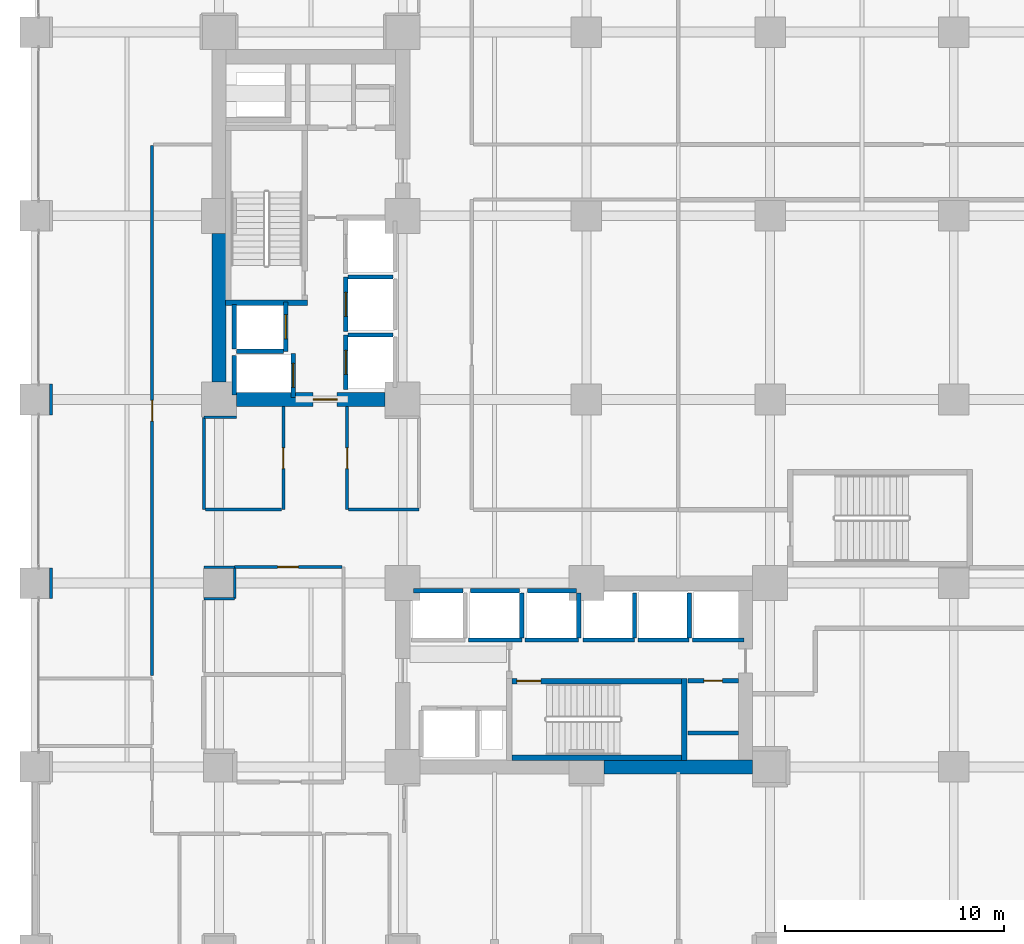
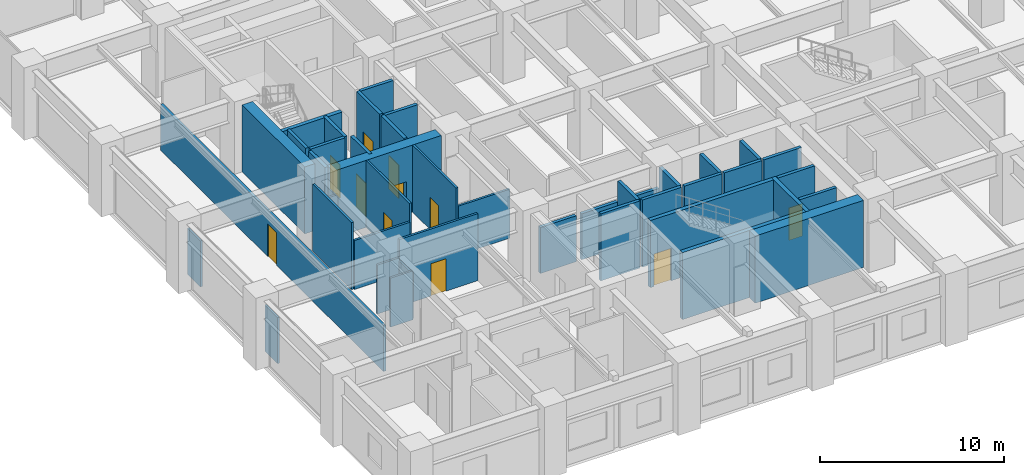
# One storey, part 20 of 24: 43 walls, 11 doors, 11 openings.
"""IFC4 building model written with IfcOpenShell, lengths in metres."""

import ifcopenshell
import ifcopenshell.guid

model = None  # the IFC model being written
_history = None  # IfcOwnerHistory: only IFC2X3 demands one
_inside = {}  # id of a spatial element -> (the spatial element, [elements in it])
_under = {}  # id of a project, library or spatial element -> (it, [spatial elements below it])
_declared = {}  # id of a project -> (the project, [libraries it declares])
_typed = {}  # id of a type object -> (the type object, [elements of that type])
_made_of = {}  # id of a material, layer set ... -> (it, [elements and type objects made of it])


def new_model(schema):
    """Start an empty IFC model of exactly this schema.

    Asked for "IFC4X3", IfcOpenShell would pick the latest addendum, in which some entities
    have other attributes; the version numbers below select the first issue.
    IFC2X3 requires an IfcOwnerHistory on every rooted entity: one is made here for all.
    """
    global model, _history
    if schema == "IFC4X3":
        model = ifcopenshell.file(schema_version=(4, 3, 0, 0))
    else:
        model = ifcopenshell.file(schema=schema)
    _inside.clear()
    _under.clear()
    _declared.clear()
    _typed.clear()
    _made_of.clear()
    _history = None
    if model.schema == "IFC2X3":
        org = make("IfcOrganization", Name="unknown")
        user = make(
            "IfcPersonAndOrganization",
            ThePerson=make("IfcPerson", FamilyName="unknown"),
            TheOrganization=org,
        )
        app = make(
            "IfcApplication",
            ApplicationDeveloper=org,
            Version="unknown",
            ApplicationFullName="unknown",
            ApplicationIdentifier="unknown",
        )
        _history = make(
            "IfcOwnerHistory",
            OwningUser=user,
            OwningApplication=app,
            ChangeAction="ADDED",
            CreationDate=0,
        )
    return model


def make(cls, **values):
    """One entity of the class cls with the attributes given. An attribute that is None is left unset."""
    return model.create_entity(
        cls, **{name: value for name, value in values.items() if value is not None}
    )


def rooted(cls, **values):
    """An entity with a GlobalId (a new one), such as an element, a storey or a relation."""
    return make(cls, GlobalId=ifcopenshell.guid.new(), OwnerHistory=_history, **values)


def si_unit(unit_type, name, prefix=None):
    """IfcSIUnit, for example si_unit("LENGTHUNIT", "METRE", prefix="MILLI")."""
    return make("IfcSIUnit", UnitType=unit_type, Prefix=prefix, Name=name)


def assignment(units):
    """IfcUnitAssignment: the units of a project."""
    return None if units is None else make("IfcUnitAssignment", Units=units)


def point(xyz):
    """IfcCartesianPoint."""
    return None if xyz is None else make("IfcCartesianPoint", Coordinates=xyz)


def direction(xyz):
    """IfcDirection."""
    return None if xyz is None else make("IfcDirection", DirectionRatios=xyz)


def frame(location, z_axis=None, x_axis=None):
    """IfcAxis2Placement3D, a coordinate frame: its origin and axes. An axis left out is left unset."""
    return make(
        "IfcAxis2Placement3D",
        Location=point(location),
        Axis=direction(z_axis),
        RefDirection=direction(x_axis),
    )


def frame_2d(location, x_axis=None):
    """IfcAxis2Placement2D, a coordinate frame in the plane: its origin and x axis."""
    return make(
        "IfcAxis2Placement2D", Location=point(location), RefDirection=direction(x_axis)
    )


def origin():
    """The frame at (0, 0, 0) with its axes left unset."""
    return frame((0.0, 0.0, 0.0))


def place(relative_to, where):
    """IfcLocalPlacement: puts the frame where relative to a parent placement (None: the world)."""
    return make(
        "IfcLocalPlacement", PlacementRelTo=relative_to, RelativePlacement=where
    )


def context(
    kind, dimensions, precision=None, world=None, true_north=None, identifier=None
):
    """IfcGeometricRepresentationContext, for example the 3D "Model" context."""
    return make(
        "IfcGeometricRepresentationContext",
        ContextIdentifier=identifier,
        ContextType=kind,
        CoordinateSpaceDimension=dimensions,
        Precision=precision,
        WorldCoordinateSystem=world,
        TrueNorth=true_north,
    )


def subcontext(parent, identifier, kind, view, scale=None):
    """IfcGeometricRepresentationSubContext, for example "Body" below "Model"."""
    return make(
        "IfcGeometricRepresentationSubContext",
        ContextIdentifier=identifier,
        ContextType=kind,
        ParentContext=parent,
        TargetScale=scale,
        TargetView=view,
    )


def project(units=None, contexts=None):
    """IfcProject with its units and contexts."""
    return rooted(
        "IfcProject",
        Name="project",
        RepresentationContexts=contexts,
        UnitsInContext=assignment(units),
    )


def spatial(cls, under=None, at=None, **own):
    """A site, building, storey or space (cls), placed at a placement, below another one or the project."""
    s = rooted(cls, ObjectPlacement=at, **own)
    if under is not None:
        _under.setdefault(under.id(), (under, []))[1].append(s)
    return s


def profile(cls, at=None, kind="AREA", **sizes):
    """A parametric profile (cls). Its sizes go by their IFC names, for example OverallWidth=200.0."""
    return make(cls, ProfileType=kind, Position=at, **sizes)


def rectangle(**sizes):
    """IfcRectangleProfileDef."""
    return profile("IfcRectangleProfileDef", **sizes)


def extrude(swept, where, along, depth):
    """IfcExtrudedAreaSolid: the profile swept, set in the frame where, extruded along a direction by depth."""
    return make(
        "IfcExtrudedAreaSolid",
        SweptArea=swept,
        Position=where,
        ExtrudedDirection=direction(along),
        Depth=depth,
    )


def shape(context_of_items, identifier, shape_type, items):
    """IfcShapeRepresentation: the items that make up one representation, for example the "Body"."""
    return make(
        "IfcShapeRepresentation",
        ContextOfItems=context_of_items,
        RepresentationIdentifier=identifier,
        RepresentationType=shape_type,
        Items=items,
    )


def material(Name=None, Category=None):
    """IfcMaterial."""
    return make("IfcMaterial", Name=Name, Category=Category)


def layer(
    of_material, thickness, ventilated=None, Name=None, Category=None, Priority=None
):
    """IfcMaterialLayer: one layer of a wall or slab, of a material (None: an air gap)."""
    return make(
        "IfcMaterialLayer",
        Material=of_material,
        LayerThickness=thickness,
        IsVentilated=ventilated,
        Name=Name,
        Category=Category,
        Priority=Priority,
    )


def layer_set(layers, Name=None):
    """IfcMaterialLayerSet."""
    return make("IfcMaterialLayerSet", MaterialLayers=layers, LayerSetName=Name)


def made_of(thing, what):
    """Note that an element or type object is made of a material, layer set ...; save() writes the relation."""
    if what is not None:
        _made_of.setdefault(what.id(), (what, []))[1].append(thing)
    return thing


def type_object(cls, material=None, **own):
    """A type object (cls), such as IfcWallType, which elements share."""
    return made_of(rooted(cls, **own), material)


def element(
    cls,
    number,
    at=None,
    inside=None,
    cuts=None,
    type_object=None,
    material=None,
    context=None,
    identifier="Body",
    shape_type=None,
    held_by="IfcProductDefinitionShape",
    body=None,
    shapes=None,
    **own,
):
    """One element of the class cls, such as IfcWall. Its Tag is "e" and its number.

    at: its placement. inside: the storey or other place that contains it. cuts: it is an
    opening in that element (IfcRelVoidsElement). A single representation is given by context,
    identifier, shape_type and body (its items); several are given by shapes. held_by: the class
    of the entity that holds the representations. save() writes the other relations.
    """
    e = rooted(cls, Tag="e%d" % number, ObjectPlacement=at, **own)
    if body is not None:
        shapes = [shape(context, identifier, shape_type, body)]
    if shapes is not None:
        e.Representation = make(held_by, Representations=shapes)
    if inside is not None:
        _inside.setdefault(inside.id(), (inside, []))[1].append(e)
    if cuts is not None:
        rooted(
            "IfcRelVoidsElement", RelatingBuildingElement=cuts, RelatedOpeningElement=e
        )
    if type_object is not None:
        _typed.setdefault(type_object.id(), (type_object, []))[1].append(e)
    return made_of(e, material)


def fill(opening, filler):
    """IfcRelFillsElement: the door or window that sits in an opening."""
    return rooted(
        "IfcRelFillsElement",
        RelatingOpeningElement=opening,
        RelatedBuildingElement=filler,
    )


def aggregate(whole, parts):
    """IfcRelAggregates: a whole, such as a stair, and the parts it consists of."""
    return rooted("IfcRelAggregates", RelatingObject=whole, RelatedObjects=parts)


def save(model, path):
    """Write the relations noted so far, then the file.

    IfcRelAggregates (storeys below a building ...), IfcRelContainedInSpatialStructure (elements
    in a storey), IfcRelDefinesByType, IfcRelAssociatesMaterial and IfcRelDeclares: one each for
    every whole, place, type object, material and project.
    """
    for whole, parts in _under.values():
        aggregate(whole, parts)
    for where, things in _inside.values():
        rooted(
            "IfcRelContainedInSpatialStructure",
            RelatedElements=things,
            RelatingStructure=where,
        )
    for kind, things in _typed.values():
        rooted("IfcRelDefinesByType", RelatedObjects=things, RelatingType=kind)
    for what, things in _made_of.values():
        rooted("IfcRelAssociatesMaterial", RelatedObjects=things, RelatingMaterial=what)
    for by, libraries in _declared.values():
        rooted("IfcRelDeclares", RelatingContext=by, RelatedDefinitions=libraries)
    model.write(path)


model = new_model("IFC4")

# Units and contexts
model_context = context("Model", 3, precision=1e-05, world=origin(), true_north=direction((0.0, 1.0)))
body_context = subcontext(model_context, "Body", "Model", "MODEL_VIEW")
ifc_project = project(units=[si_unit("LENGTHUNIT", "METRE"), si_unit("AREAUNIT", "SQUARE_METRE"), si_unit("VOLUMEUNIT", "CUBIC_METRE"), si_unit("PLANEANGLEUNIT", "RADIAN"), si_unit("MASSUNIT", "GRAM", prefix="KILO")], contexts=[model_context])

# Site, building, storey
site_placement = place(None, origin())
site = spatial("IfcSite", under=ifc_project, at=site_placement, CompositionType="ELEMENT")
building_placement = place(site_placement, origin())
building = spatial("IfcBuilding", under=site, at=building_placement, Name="Nerrivon Quay Data Exchange", CompositionType="ELEMENT")
storey_placement = place(building_placement, frame((0.0, 0.0, 15.0)))
storey = spatial("IfcBuildingStorey", under=building, at=storey_placement, Name="L03", CompositionType="ELEMENT", Elevation=15.0)

# Wall
ifc_material_1 = material(Name="Concrete N80 (80 MPa)", Category="concrete")
ifc_layer_1 = layer(ifc_material_1, 0.64990234375)
ifc_layer_set_1 = layer_set([ifc_layer_1], Name="Concrete N80 (80 MPa)")
wall_type_1 = type_object("IfcWallType", Name="WALL-CW-850", PredefinedType="SHEAR", material=ifc_layer_set_1)
wall_1_placement = place(storey_placement, frame((8.39990234375, 26.0, 0.0), z_axis=(0.0, 0.0, 1.0), x_axis=(0.0, 1.0, 0.0)))
element("IfcWall", 1, at=wall_1_placement, inside=storey, type_object=wall_type_1, Name="L03 West Split-Core Shear Wall WCW-W1", PredefinedType="SHEAR", context=body_context, shape_type="SweptSolid", body=[
    extrude(rectangle(XDim=6.800048828125, YDim=0.64990234375, at=frame_2d((3.39990234375, 0.0))), origin(), (0.0, 0.0, 1.0), 4.449951171875),
])

# Wall, opening, door
wall_2_placement = place(storey_placement, frame((9.199951171875, 25.199951171875, 0.0), z_axis=(0.0, 0.0, 1.0), x_axis=(1.0, 0.0, 0.0)))
wall_2 = element("IfcWall", 2, at=wall_2_placement, inside=storey, type_object=wall_type_1, Name="L03 West Split-Core Shear Wall WCW-S1", PredefinedType="SHEAR", context=body_context, shape_type="SweptSolid", body=[
    extrude(rectangle(XDim=6.800048828125, YDim=0.64990234375, at=frame_2d((3.39990234375, 0.0))), origin(), (0.0, 0.0, 1.0), 4.449951171875),
])
opening_1_placement = place(wall_2_placement, frame((3.5, 0.0, 0.0)))
opening_1 = element("IfcOpeningElement", 3, at=opening_1_placement, cuts=wall_2, Name="Opening FD-120", PredefinedType="OPENING", context=body_context, shape_type="SweptSolid", body=[
    extrude(rectangle(XDim=1.10009765625, YDim=2.14990234375, at=frame_2d((0.550048828125, 1.074951171875))), frame((0.0, 0.3349609375, 0.0), z_axis=(0.0, -1.0, 0.0), x_axis=(1.0, 0.0, 0.0)), (0.0, 0.0, 1.0), 0.669921875),
])
ifc_material_2 = material(Name="Powder-coated galvanized steel sheet", Category="steel")
door_type_1 = type_object("IfcDoorType", Name="DR-FD120-1100", OperationType="NOTDEFINED", PredefinedType="DOOR", material=ifc_material_2)
door_1_placement = place(opening_1_placement, origin())
door_1 = element("IfcDoor", 4, at=door_1_placement, inside=storey, type_object=door_type_1, Name="L03 West Core Lobby Fire Door", OperationType="SINGLE_SWING_LEFT", OverallHeight=2.14990234375, OverallWidth=1.10009765625, PredefinedType="DOOR", context=body_context, shape_type="SweptSolid", body=[
    extrude(rectangle(XDim=1.10009765625, YDim=2.14990234375, at=frame_2d((0.550048828125, 1.074951171875))), frame((0.0, 0.02490234375, 0.0), z_axis=(0.0, -1.0, 0.0), x_axis=(1.0, 0.0, 0.0)), (0.0, 0.0, 1.0), 0.050048828125),
])
fill(opening_1, door_1)

# Wall
wall_3_placement = place(storey_placement, frame((26.0, 8.39990234375, 0.0), z_axis=(0.0, 0.0, 1.0), x_axis=(1.0, 0.0, 0.0)))
element("IfcWall", 5, at=wall_3_placement, inside=storey, type_object=wall_type_1, Name="L03 East Split-Core Shear Wall ECW-S2", PredefinedType="SHEAR", context=body_context, shape_type="SweptSolid", body=[
    extrude(rectangle(XDim=6.800048828125, YDim=0.64990234375, at=frame_2d((3.39990234375, 0.0))), origin(), (0.0, 0.0, 1.0), 4.449951171875),
])

# Wall, opening, door
ifc_material_3 = material(Name="Gypsum plasterboard on cold-formed framing", Category="gypsum")
ifc_layer_2 = layer(ifc_material_3, 0.199951171875)
ifc_layer_set_2 = layer_set([ifc_layer_2], Name="Gypsum plasterboard on cold-formed framing")
wall_type_2 = type_object("IfcWallType", Name="WALL-FW-200", PredefinedType="PARTITIONING", material=ifc_layer_set_2)
wall_4_placement = place(storey_placement, frame((11.449951171875, 27.39990234375, 0.0), z_axis=(0.0, 0.0, 1.0), x_axis=(0.0, 1.0, 0.0)))
wall_4 = element("IfcWall", 6, at=wall_4_placement, inside=storey, type_object=wall_type_2, Name="L03 Lift Front Wall FFL-1", PredefinedType="PARTITIONING", context=body_context, shape_type="SweptSolid", body=[
    extrude(rectangle(XDim=2.25, YDim=0.199951171875, at=frame_2d((1.125, 0.0))), origin(), (0.0, 0.0, 1.0), 4.449951171875),
])
opening_2_placement = place(wall_4_placement, frame((0.574951171875, 0.0, 0.0)))
opening_2 = element("IfcOpeningElement", 7, at=opening_2_placement, cuts=wall_4, Name="Opening LD-120", PredefinedType="OPENING", context=body_context, shape_type="SweptSolid", body=[
    extrude(rectangle(XDim=1.10009765625, YDim=2.199951171875, at=frame_2d((0.550048828125, 1.10009765625))), frame((0.0, 0.10986328125, 0.0), z_axis=(0.0, -1.0, 0.0), x_axis=(1.0, 0.0, 0.0)), (0.0, 0.0, 1.0), 0.219970703125),
])
door_type_2 = type_object("IfcDoorType", Name="DR-LIFT-LD120", OperationType="DOUBLE_DOOR_SLIDING", PredefinedType="DOOR", material=ifc_material_2)
door_2_placement = place(opening_2_placement, origin())
door_2 = element("IfcDoor", 8, at=door_2_placement, inside=storey, type_object=door_type_2, Name="L03 Lift Landing Sliding Door FFL-1", OperationType="DOUBLE_DOOR_SLIDING", OverallHeight=2.199951171875, OverallWidth=1.10009765625, PredefinedType="DOOR", context=body_context, shape_type="SweptSolid", body=[
    extrude(rectangle(XDim=1.10009765625, YDim=2.199951171875, at=frame_2d((0.550048828125, 1.10009765625))), frame((0.0, 0.02490234375, 0.0), z_axis=(0.0, -1.0, 0.0), x_axis=(1.0, 0.0, 0.0)), (0.0, 0.0, 1.0), 0.050048828125),
])
fill(opening_2, door_2)

# Walls
wall_5_placement = place(storey_placement, frame((9.10009765625, 27.5, 0.0), z_axis=(0.0, 0.0, 1.0), x_axis=(0.0, 1.0, 0.0)))
element("IfcWall", 9, at=wall_5_placement, inside=storey, type_object=wall_type_2, Name="L03 Lift Shaft Wall FFL-1 WEST", PredefinedType="PARTITIONING", context=body_context, shape_type="SweptSolid", body=[
    extrude(rectangle(XDim=2.050048828125, YDim=0.199951171875, at=frame_2d((1.02490234375, 0.0))), origin(), (0.0, 0.0, 1.0), 4.449951171875),
])
wall_6_placement = place(storey_placement, frame((9.199951171875, 27.39990234375, 0.0), z_axis=(0.0, 0.0, 1.0), x_axis=(1.0, 0.0, 0.0)))
element("IfcWall", 10, at=wall_6_placement, inside=storey, type_object=wall_type_2, Name="L03 Lift Shaft Wall FFL-1 SOUTH", PredefinedType="PARTITIONING", context=body_context, shape_type="SweptSolid", body=[
    extrude(rectangle(XDim=2.150146484375, YDim=0.199951171875, at=frame_2d((1.0751953125, 0.0))), origin(), (0.0, 0.0, 1.0), 4.449951171875),
])

# Wall, opening, door
wall_7_placement = place(storey_placement, frame((11.800048828125, 25.300048828125, 0.0), z_axis=(0.0, 0.0, 1.0), x_axis=(0.0, 1.0, 0.0)))
wall_7 = element("IfcWall", 11, at=wall_7_placement, inside=storey, type_object=wall_type_2, Name="L03 Lift Front Wall SVL-1", PredefinedType="PARTITIONING", context=body_context, shape_type="SweptSolid", body=[
    extrude(rectangle(XDim=2.0, YDim=0.199951171875, at=frame_2d((1.0, 0.0))), origin(), (0.0, 0.0, 1.0), 4.449951171875),
])
opening_3_placement = place(wall_7_placement, frame((0.449951171875, 0.0, 0.0)))
opening_3 = element("IfcOpeningElement", 12, at=opening_3_placement, cuts=wall_7, Name="Opening LD-120", PredefinedType="OPENING", context=body_context, shape_type="SweptSolid", body=[
    extrude(rectangle(XDim=1.10009765625, YDim=2.199951171875, at=frame_2d((0.550048828125, 1.10009765625))), frame((0.0, 0.10986328125, 0.0), z_axis=(0.0, -1.0, 0.0), x_axis=(1.0, 0.0, 0.0)), (0.0, 0.0, 1.0), 0.219970703125),
])
door_3_placement = place(opening_3_placement, origin())
door_3 = element("IfcDoor", 13, at=door_3_placement, inside=storey, type_object=door_type_2, Name="L03 Lift Landing Sliding Door SVL-1", OperationType="DOUBLE_DOOR_SLIDING", OverallHeight=2.199951171875, OverallWidth=1.10009765625, PredefinedType="DOOR", context=body_context, shape_type="SweptSolid", body=[
    extrude(rectangle(XDim=1.10009765625, YDim=2.199951171875, at=frame_2d((0.550048828125, 1.10009765625))), frame((0.0, 0.02490234375, 0.0), z_axis=(0.0, -1.0, 0.0), x_axis=(1.0, 0.0, 0.0)), (0.0, 0.0, 1.0), 0.050048828125),
])
fill(opening_3, door_3)

# Wall
wall_8_placement = place(storey_placement, frame((9.10009765625, 25.39990234375, 0.0), z_axis=(0.0, 0.0, 1.0), x_axis=(0.0, 1.0, 0.0)))
element("IfcWall", 14, at=wall_8_placement, inside=storey, type_object=wall_type_2, Name="L03 Lift Shaft Wall SVL-1 WEST", PredefinedType="PARTITIONING", context=body_context, shape_type="SweptSolid", body=[
    extrude(rectangle(XDim=1.800048828125, YDim=0.199951171875, at=frame_2d((0.89990234375, 0.0))), origin(), (0.0, 0.0, 1.0), 4.449951171875),
])

# Wall, opening, door
wall_9_placement = place(storey_placement, frame((14.199951171875, 25.64990234375, 0.0), z_axis=(0.0, 0.0, 1.0), x_axis=(0.0, 1.0, 0.0)))
wall_9 = element("IfcWall", 15, at=wall_9_placement, inside=storey, type_object=wall_type_2, Name="L03 Lift Front Wall PL1", PredefinedType="PARTITIONING", context=body_context, shape_type="SweptSolid", body=[
    extrude(rectangle(XDim=2.5, YDim=0.199951171875, at=frame_2d((1.25, 0.0))), origin(), (0.0, 0.0, 1.0), 4.449951171875),
])
opening_4_placement = place(wall_9_placement, frame((0.699951171875, 0.0, 0.0)))
opening_4 = element("IfcOpeningElement", 16, at=opening_4_placement, cuts=wall_9, Name="Opening LD-120", PredefinedType="OPENING", context=body_context, shape_type="SweptSolid", body=[
    extrude(rectangle(XDim=1.10009765625, YDim=2.199951171875, at=frame_2d((0.550048828125, 1.10009765625))), frame((0.0, 0.10986328125, 0.0), z_axis=(0.0, -1.0, 0.0), x_axis=(1.0, 0.0, 0.0)), (0.0, 0.0, 1.0), 0.219970703125),
])
door_4_placement = place(opening_4_placement, origin())
door_4 = element("IfcDoor", 17, at=door_4_placement, inside=storey, type_object=door_type_2, Name="L03 Lift Landing Sliding Door PL1", OperationType="DOUBLE_DOOR_SLIDING", OverallHeight=2.199951171875, OverallWidth=1.10009765625, PredefinedType="DOOR", context=body_context, shape_type="SweptSolid", body=[
    extrude(rectangle(XDim=1.10009765625, YDim=2.199951171875, at=frame_2d((0.550048828125, 1.10009765625))), frame((0.0, 0.02490234375, 0.0), z_axis=(0.0, -1.0, 0.0), x_axis=(1.0, 0.0, 0.0)), (0.0, 0.0, 1.0), 0.050048828125),
])
fill(opening_4, door_4)

# Wall
wall_10_placement = place(storey_placement, frame((14.300048828125, 28.14990234375, 0.0), z_axis=(0.0, 0.0, 1.0), x_axis=(1.0, 0.0, 0.0)))
element("IfcWall", 18, at=wall_10_placement, inside=storey, type_object=wall_type_2, Name="L03 Lift Shaft Wall PL1 NORTH", PredefinedType="PARTITIONING", context=body_context, shape_type="SweptSolid", body=[
    extrude(rectangle(XDim=2.050048828125, YDim=0.199951171875, at=frame_2d((1.02490234375, 0.0))), origin(), (0.0, 0.0, 1.0), 4.449951171875),
])

# Wall, opening, door
wall_11_placement = place(storey_placement, frame((14.199951171875, 28.300048828125, 0.0), z_axis=(0.0, 0.0, 1.0), x_axis=(0.0, 1.0, 0.0)))
wall_11 = element("IfcWall", 19, at=wall_11_placement, inside=storey, type_object=wall_type_2, Name="L03 Lift Front Wall PL2", PredefinedType="PARTITIONING", context=body_context, shape_type="SweptSolid", body=[
    extrude(rectangle(XDim=2.5, YDim=0.199951171875, at=frame_2d((1.25, 0.0))), origin(), (0.0, 0.0, 1.0), 4.449951171875),
])
opening_5_placement = place(wall_11_placement, frame((0.699951171875, 0.0, 0.0)))
opening_5 = element("IfcOpeningElement", 20, at=opening_5_placement, cuts=wall_11, Name="Opening LD-120", PredefinedType="OPENING", context=body_context, shape_type="SweptSolid", body=[
    extrude(rectangle(XDim=1.10009765625, YDim=2.199951171875, at=frame_2d((0.550048828125, 1.10009765625))), frame((0.0, 0.10986328125, 0.0), z_axis=(0.0, -1.0, 0.0), x_axis=(1.0, 0.0, 0.0)), (0.0, 0.0, 1.0), 0.219970703125),
])
door_5_placement = place(opening_5_placement, origin())
door_5 = element("IfcDoor", 21, at=door_5_placement, inside=storey, type_object=door_type_2, Name="L03 Lift Landing Sliding Door PL2", OperationType="DOUBLE_DOOR_SLIDING", OverallHeight=2.199951171875, OverallWidth=1.10009765625, PredefinedType="DOOR", context=body_context, shape_type="SweptSolid", body=[
    extrude(rectangle(XDim=1.10009765625, YDim=2.199951171875, at=frame_2d((0.550048828125, 1.10009765625))), frame((0.0, 0.02490234375, 0.0), z_axis=(0.0, -1.0, 0.0), x_axis=(1.0, 0.0, 0.0)), (0.0, 0.0, 1.0), 0.050048828125),
])
fill(opening_5, door_5)

# Walls
wall_12_placement = place(storey_placement, frame((14.300048828125, 30.800048828125, 0.0), z_axis=(0.0, 0.0, 1.0), x_axis=(1.0, 0.0, 0.0)))
element("IfcWall", 22, at=wall_12_placement, inside=storey, type_object=wall_type_2, Name="L03 Lift Shaft Wall PL2 NORTH", PredefinedType="PARTITIONING", context=body_context, shape_type="SweptSolid", body=[
    extrude(rectangle(XDim=2.050048828125, YDim=0.199951171875, at=frame_2d((1.02490234375, 0.0))), origin(), (0.0, 0.0, 1.0), 4.449951171875),
])
wall_13_placement = place(storey_placement, frame((17.300048828125, 16.449951171875, 0.0), z_axis=(0.0, 0.0, 1.0), x_axis=(1.0, 0.0, 0.0)))
element("IfcWall", 23, at=wall_13_placement, inside=storey, type_object=wall_type_2, Name="L03 Lift Shaft Wall PL4 NORTH", PredefinedType="PARTITIONING", context=body_context, shape_type="SweptSolid", body=[
    extrude(rectangle(XDim=2.25, YDim=0.199951171875, at=frame_2d((1.125, 0.0))), origin(), (0.0, 0.0, 1.0), 3.050048828125),
])
wall_14_placement = place(storey_placement, frame((19.800048828125, 14.199951171875, 0.0), z_axis=(0.0, 0.0, 1.0), x_axis=(1.0, 0.0, 0.0)))
element("IfcWall", 24, at=wall_14_placement, inside=storey, type_object=wall_type_2, Name="L03 Lift Front Wall PL5", PredefinedType="PARTITIONING", context=body_context, shape_type="SweptSolid", body=[
    extrude(rectangle(XDim=2.449951171875, YDim=0.199951171875, at=frame_2d((1.22509765625, 0.0))), origin(), (0.0, 0.0, 1.0), 4.449951171875),
])
wall_15_placement = place(storey_placement, frame((22.25, 14.300048828125, 0.0), z_axis=(0.0, 0.0, 1.0), x_axis=(0.0, 1.0, 0.0)))
element("IfcWall", 25, at=wall_15_placement, inside=storey, type_object=wall_type_2, Name="L03 Lift Shaft Wall PL5 EAST", PredefinedType="PARTITIONING", context=body_context, shape_type="SweptSolid", body=[
    extrude(rectangle(XDim=2.050048828125, YDim=0.199951171875, at=frame_2d((1.02490234375, 0.0))), origin(), (0.0, 0.0, 1.0), 4.449951171875),
])
wall_16_placement = place(storey_placement, frame((19.89990234375, 16.449951171875, 0.0), z_axis=(0.0, 0.0, 1.0), x_axis=(1.0, 0.0, 0.0)))
element("IfcWall", 26, at=wall_16_placement, inside=storey, type_object=wall_type_2, Name="L03 Lift Shaft Wall PL5 NORTH", PredefinedType="PARTITIONING", context=body_context, shape_type="SweptSolid", body=[
    extrude(rectangle(XDim=2.25, YDim=0.199951171875, at=frame_2d((1.125, 0.0))), origin(), (0.0, 0.0, 1.0), 3.050048828125),
])
wall_17_placement = place(storey_placement, frame((22.39990234375, 14.199951171875, 0.0), z_axis=(0.0, 0.0, 1.0), x_axis=(1.0, 0.0, 0.0)))
element("IfcWall", 27, at=wall_17_placement, inside=storey, type_object=wall_type_2, Name="L03 Lift Front Wall PL6", PredefinedType="PARTITIONING", context=body_context, shape_type="SweptSolid", body=[
    extrude(rectangle(XDim=2.4501953125, YDim=0.199951171875, at=frame_2d((1.22509765625, 0.0))), origin(), (0.0, 0.0, 1.0), 4.449951171875),
])
wall_18_placement = place(storey_placement, frame((24.85009765625, 14.300048828125, 0.0), z_axis=(0.0, 0.0, 1.0), x_axis=(0.0, 1.0, 0.0)))
element("IfcWall", 28, at=wall_18_placement, inside=storey, type_object=wall_type_2, Name="L03 Lift Shaft Wall PL6 EAST", PredefinedType="PARTITIONING", context=body_context, shape_type="SweptSolid", body=[
    extrude(rectangle(XDim=2.050048828125, YDim=0.199951171875, at=frame_2d((1.02490234375, 0.0))), origin(), (0.0, 0.0, 1.0), 4.449951171875),
])
wall_19_placement = place(storey_placement, frame((22.5, 16.449951171875, 0.0), z_axis=(0.0, 0.0, 1.0), x_axis=(1.0, 0.0, 0.0)))
element("IfcWall", 29, at=wall_19_placement, inside=storey, type_object=wall_type_2, Name="L03 Lift Shaft Wall PL6 NORTH", PredefinedType="PARTITIONING", context=body_context, shape_type="SweptSolid", body=[
    extrude(rectangle(XDim=2.25, YDim=0.199951171875, at=frame_2d((1.125, 0.0))), origin(), (0.0, 0.0, 1.0), 3.050048828125),
])
wall_20_placement = place(storey_placement, frame((25.050048828125, 14.199951171875, 0.0), z_axis=(0.0, 0.0, 1.0), x_axis=(1.0, 0.0, 0.0)))
element("IfcWall", 30, at=wall_20_placement, inside=storey, type_object=wall_type_2, Name="L03 Lift Front Wall PL7", PredefinedType="PARTITIONING", context=body_context, shape_type="SweptSolid", body=[
    extrude(rectangle(XDim=2.349853515625, YDim=0.199951171875, at=frame_2d((1.1748046875, 0.0))), origin(), (0.0, 0.0, 1.0), 4.449951171875),
])
wall_21_placement = place(storey_placement, frame((27.39990234375, 14.300048828125, 0.0), z_axis=(0.0, 0.0, 1.0), x_axis=(0.0, 1.0, 0.0)))
element("IfcWall", 31, at=wall_21_placement, inside=storey, type_object=wall_type_2, Name="L03 Lift Shaft Wall PL7 EAST", PredefinedType="PARTITIONING", context=body_context, shape_type="SweptSolid", body=[
    extrude(rectangle(XDim=2.050048828125, YDim=0.199951171875, at=frame_2d((1.02490234375, 0.0))), origin(), (0.0, 0.0, 1.0), 4.449951171875),
])
wall_22_placement = place(storey_placement, frame((27.550048828125, 14.199951171875, 0.0), z_axis=(0.0, 0.0, 1.0), x_axis=(1.0, 0.0, 0.0)))
element("IfcWall", 32, at=wall_22_placement, inside=storey, type_object=wall_type_2, Name="L03 Lift Front Wall PL8", PredefinedType="PARTITIONING", context=body_context, shape_type="SweptSolid", body=[
    extrude(rectangle(XDim=2.349853515625, YDim=0.199951171875, at=frame_2d((1.1748046875, 0.0))), origin(), (0.0, 0.0, 1.0), 4.449951171875),
])
wall_23_placement = place(storey_placement, frame((29.89990234375, 14.300048828125, 0.0), z_axis=(0.0, 0.0, 1.0), x_axis=(0.0, 1.0, 0.0)))
element("IfcWall", 33, at=wall_23_placement, inside=storey, type_object=wall_type_2, Name="L03 Lift Shaft Wall PL8 EAST", PredefinedType="PARTITIONING", context=body_context, shape_type="SweptSolid", body=[
    extrude(rectangle(XDim=2.050048828125, YDim=0.199951171875, at=frame_2d((1.02490234375, 0.0))), origin(), (0.0, 0.0, 1.0), 4.449951171875),
])
wall_24_placement = place(storey_placement, frame((30.050048828125, 14.199951171875, 0.0), z_axis=(0.0, 0.0, 1.0), x_axis=(1.0, 0.0, 0.0)))
element("IfcWall", 34, at=wall_24_placement, inside=storey, type_object=wall_type_2, Name="L03 Lift Front Wall PL9", PredefinedType="PARTITIONING", context=body_context, shape_type="SweptSolid", body=[
    extrude(rectangle(XDim=2.349853515625, YDim=0.199951171875, at=frame_2d((1.1748046875, 0.0))), origin(), (0.0, 0.0, 1.0), 4.449951171875),
])

# Wall, opening, door
wall_25_placement = place(storey_placement, frame((32.14599609375, 12.330078125, 0.0), z_axis=(0.0, 0.0, 1.0), x_axis=(-1.0, 0.0, 0.0)))
wall_25 = element("IfcWall", 35, at=wall_25_placement, inside=storey, type_object=wall_type_2, Name="L03 Partition East Supply Store", PredefinedType="PARTITIONING", context=body_context, shape_type="SweptSolid", body=[
    extrude(rectangle(XDim=2.2958984375, YDim=0.199951171875, at=frame_2d((1.14794921875, 0.0))), origin(), (0.0, 0.0, 1.0), 4.449951171875),
])
opening_6_placement = place(wall_25_placement, frame((0.722900390625, 0.0, 0.0)))
opening_6 = element("IfcOpeningElement", 36, at=opening_6_placement, cuts=wall_25, Name="Opening FD-60S", PredefinedType="OPENING", context=body_context, shape_type="SweptSolid", body=[
    extrude(rectangle(XDim=0.85009765625, YDim=2.14990234375, at=frame_2d((0.425048828125, 1.074951171875))), frame((0.0, 0.10986328125, 0.0), z_axis=(0.0, -1.0, 0.0), x_axis=(1.0, 0.0, 0.0)), (0.0, 0.0, 1.0), 0.219970703125),
])
ifc_material_4 = material(Name="Engineered hardwood timber", Category="wood")
door_type_3 = type_object("IfcDoorType", Name="DR-FD60-850", OperationType="NOTDEFINED", PredefinedType="DOOR", material=ifc_material_4)
door_6_placement = place(opening_6_placement, origin())
door_6 = element("IfcDoor", 37, at=door_6_placement, inside=storey, type_object=door_type_3, Name="L03 Door East Supply Store", OperationType="SINGLE_SWING_LEFT", OverallHeight=2.14990234375, OverallWidth=0.85009765625, PredefinedType="DOOR", context=body_context, shape_type="SweptSolid", body=[
    extrude(rectangle(XDim=0.85009765625, YDim=2.14990234375, at=frame_2d((0.425048828125, 1.074951171875))), frame((0.0, 0.02490234375, 0.0), z_axis=(0.0, -1.0, 0.0), x_axis=(1.0, 0.0, 0.0)), (0.0, 0.0, 1.0), 0.050048828125),
])
fill(opening_6, door_6)

# Walls
wall_26_placement = place(storey_placement, frame((29.85009765625, 9.949951171875, 0.0), z_axis=(0.0, 0.0, 1.0), x_axis=(1.0, 0.0, 0.0)))
element("IfcWall", 38, at=wall_26_placement, inside=storey, type_object=wall_type_2, Name="L03 Partition East Supply Store", PredefinedType="PARTITIONING", context=body_context, shape_type="SweptSolid", body=[
    extrude(rectangle(XDim=2.2958984375, YDim=0.199951171875, at=frame_2d((1.14794921875, 0.0))), origin(), (0.0, 0.0, 1.0), 4.449951171875),
])
ifc_layer_3 = layer(ifc_material_3, 0.1201171875)
ifc_layer_set_3 = layer_set([ifc_layer_3], Name="Gypsum plasterboard on cold-formed framing")
wall_type_3 = type_object("IfcWallType", Name="WALL-PT-120", PredefinedType="PARTITIONING", material=ifc_layer_set_3)
wall_27_placement = place(storey_placement, frame((9.205810546875, 24.380859375, 0.0), z_axis=(0.0, 0.0, 1.0), x_axis=(-0.999999786895, -0.00065284791, 0.0)))
element("IfcWall", 39, at=wall_27_placement, inside=storey, type_object=wall_type_3, Name="L03 Partition Network Operations Office 1", PredefinedType="PARTITIONING", context=body_context, shape_type="SweptSolid", body=[
    extrude(rectangle(XDim=1.495849609375, YDim=0.1201171875, at=frame_2d((0.748046875, 0.0))), origin(), (0.0, 0.0, 1.0), 3.25),
])
wall_28_placement = place(storey_placement, frame((7.7099609375, 17.52001953125, 0.0), z_axis=(0.0, 0.0, 1.0), x_axis=(1.0, 0.0, 0.0)))
element("IfcWall", 40, at=wall_28_placement, inside=storey, type_object=wall_type_3, Name="L03 Partition Cloud Compute Workspace 1", PredefinedType="PARTITIONING", context=body_context, shape_type="SweptSolid", body=[
    extrude(rectangle(XDim=1.39013671875, YDim=0.1201171875, at=frame_2d((0.695068359375, 0.0))), origin(), (0.0, 0.0, 1.0), 3.25),
])
wall_29_placement = place(storey_placement, frame((9.1201171875, 17.5, 0.0), z_axis=(0.0, 0.0, 1.0), x_axis=(0.0, -1.0, 0.0)))
element("IfcWall", 41, at=wall_29_placement, inside=storey, type_object=wall_type_3, Name="L03 Partition Cloud Compute Workspace 1", PredefinedType="PARTITIONING", context=body_context, shape_type="SweptSolid", body=[
    extrude(rectangle(XDim=1.39990234375, YDim=0.1201171875, at=frame_2d((0.699951171875, 0.0))), origin(), (0.0, 0.0, 1.0), 3.050048828125),
])
wall_30_placement = place(storey_placement, frame((9.10009765625, 16.080078125, 0.0), z_axis=(0.0, 0.0, 1.0), x_axis=(-1.0, 0.0, 0.0)))
element("IfcWall", 42, at=wall_30_placement, inside=storey, type_object=wall_type_3, Name="L03 Partition Cloud Compute Workspace 1", PredefinedType="PARTITIONING", context=body_context, shape_type="SweptSolid", body=[
    extrude(rectangle(XDim=1.39013671875, YDim=0.1201171875, at=frame_2d((0.695068359375, 0.0))), origin(), (0.0, 0.0, 1.0), 3.25),
])
for number, where, z_axis, x_axis, name in (
    (43, (0.719970703125, 25.89990234375, 0.0), (0.0, 0.0, 1.0), (0.0, -1.0, 0.0), "L03 Partition Network Operations Office 1 9"),
    (44, (0.719970703125, 17.5, 0.0), (0.0, 0.0, 1.0), (0.0, -1.0, 0.0), "L03 Partition Network Operations Office 1 9"),
):
    element("IfcWall", number, at=place(storey_placement, frame(where, z_axis=z_axis, x_axis=x_axis)), inside=storey, type_object=wall_type_3, Name=name, PredefinedType="PARTITIONING", context=body_context, shape_type="SweptSolid", body=[
        extrude(rectangle(XDim=1.39990234375, YDim=0.1201171875, at=frame_2d((0.699951171875, 0.0))), origin(), (0.0, 0.0, 1.0), 3.050048828125),
    ])

# Wall, opening, door
ifc_layer_4 = layer(ifc_material_3, 0.135009765625)
ifc_layer_set_4 = layer_set([ifc_layer_4], Name="Gypsum plasterboard on cold-formed framing")
wall_type_4 = type_object("IfcWallType", Name="WALL-PT-135", PredefinedType="PARTITIONING", material=ifc_layer_set_4)
wall_31_placement = place(storey_placement, frame((14.260009765625, 24.87109375, 0.0), z_axis=(0.0, 0.0, 1.0), x_axis=(0.0, -1.0, 0.0)))
wall_31 = element("IfcWall", 45, at=wall_31_placement, inside=storey, type_object=wall_type_4, Name="L03 Partition Shared Breakout Kitchenette", PredefinedType="PARTITIONING", context=body_context, shape_type="SweptSolid", body=[
    extrude(rectangle(XDim=4.711181640625, YDim=0.135009765625, at=frame_2d((2.35546875, 0.0))), origin(), (0.0, 0.0, 1.0), 4.449951171875),
])
opening_7_placement = place(wall_31_placement, frame((1.880615234375, 0.0, 0.0)))
opening_7 = element("IfcOpeningElement", 46, at=opening_7_placement, cuts=wall_31, Name="Opening D-01", PredefinedType="OPENING", context=body_context, shape_type="SweptSolid", body=[
    extrude(rectangle(XDim=0.949951171875, YDim=2.14990234375, at=frame_2d((0.47509765625, 1.074951171875))), frame((0.0, 0.077392578125, 0.0), z_axis=(0.0, -1.0, 0.0), x_axis=(1.0, 0.0, 0.0)), (0.0, 0.0, 1.0), 0.155029296875),
])
door_type_4 = type_object("IfcDoorType", Name="DR-INT-950", OperationType="NOTDEFINED", PredefinedType="DOOR", material=ifc_material_4)
door_7_placement = place(opening_7_placement, origin())
door_7 = element("IfcDoor", 47, at=door_7_placement, inside=storey, type_object=door_type_4, Name="L03 Door Shared Breakout Kitchenette", OperationType="SINGLE_SWING_RIGHT", OverallHeight=2.14990234375, OverallWidth=0.949951171875, PredefinedType="DOOR", context=body_context, shape_type="SweptSolid", body=[
    extrude(rectangle(XDim=0.949951171875, YDim=2.14990234375, at=frame_2d((0.47509765625, 1.074951171875))), frame((0.0, 0.02490234375, 0.0), z_axis=(0.0, -1.0, 0.0), x_axis=(1.0, 0.0, 0.0)), (0.0, 0.0, 1.0), 0.050048828125),
])
fill(opening_7, door_7)

# Wall
wall_32_placement = place(storey_placement, frame((14.33154296875, 20.159912109375, 0.0), z_axis=(0.0, 0.0, 1.0), x_axis=(1.0, 0.0, 0.0)))
element("IfcWall", 48, at=wall_32_placement, inside=storey, type_object=wall_type_4, Name="L03 Partition Shared Breakout Kitchenette", PredefinedType="PARTITIONING", context=body_context, shape_type="SweptSolid", body=[
    extrude(rectangle(XDim=3.20849609375, YDim=0.135009765625, at=frame_2d((1.604248046875, 0.0))), origin(), (0.0, 0.0, 1.0), 3.25),
])

# Wall, opening, door
wall_33_placement = place(storey_placement, frame((11.340087890625, 20.159912109375, 0.0), z_axis=(0.0, 0.0, 1.0), x_axis=(0.0, 1.0, 0.0)))
wall_33 = element("IfcWall", 49, at=wall_33_placement, inside=storey, type_object=wall_type_4, Name="L03 Partition Network Operations Office 1", PredefinedType="PARTITIONING", context=body_context, shape_type="SweptSolid", body=[
    extrude(rectangle(XDim=4.711181640625, YDim=0.135009765625, at=frame_2d((2.35546875, 0.0))), origin(), (0.0, 0.0, 1.0), 4.449951171875),
])
opening_8_placement = place(wall_33_placement, frame((1.880615234375, 0.0, 0.0)))
opening_8 = element("IfcOpeningElement", 50, at=opening_8_placement, cuts=wall_33, Name="Opening D-01", PredefinedType="OPENING", context=body_context, shape_type="SweptSolid", body=[
    extrude(rectangle(XDim=0.949951171875, YDim=2.14990234375, at=frame_2d((0.47509765625, 1.074951171875))), frame((0.0, 0.077392578125, 0.0), z_axis=(0.0, -1.0, 0.0), x_axis=(1.0, 0.0, 0.0)), (0.0, 0.0, 1.0), 0.155029296875),
])
door_8_placement = place(opening_8_placement, origin())
door_8 = element("IfcDoor", 51, at=door_8_placement, inside=storey, type_object=door_type_4, Name="L03 Door Network Operations Office 1", OperationType="SINGLE_SWING_LEFT", OverallHeight=2.14990234375, OverallWidth=0.949951171875, PredefinedType="DOOR", context=body_context, shape_type="SweptSolid", body=[
    extrude(rectangle(XDim=0.949951171875, YDim=2.14990234375, at=frame_2d((0.47509765625, 1.074951171875))), frame((0.0, 0.02490234375, 0.0), z_axis=(0.0, -1.0, 0.0), x_axis=(1.0, 0.0, 0.0)), (0.0, 0.0, 1.0), 0.050048828125),
])
fill(opening_8, door_8)

# Walls
wall_34_placement = place(storey_placement, frame((7.7099609375, 24.3798828125, 0.0), z_axis=(0.0, 0.0, 1.0), x_axis=(0.0, -1.0, 0.0)))
element("IfcWall", 52, at=wall_34_placement, inside=storey, type_object=wall_type_4, Name="L03 Partition Network Operations Office 1", PredefinedType="PARTITIONING", context=body_context, shape_type="SweptSolid", body=[
    extrude(rectangle(XDim=4.219970703125, YDim=0.135009765625, at=frame_2d((2.10986328125, 0.0))), origin(), (0.0, 0.0, 1.0), 4.449951171875),
])
wall_35_placement = place(storey_placement, frame((7.781494140625, 20.159912109375, 0.0), z_axis=(0.0, 0.0, 1.0), x_axis=(1.0, 0.0, 0.0)))
element("IfcWall", 53, at=wall_35_placement, inside=storey, type_object=wall_type_4, Name="L03 Partition Network Operations Office 1", PredefinedType="PARTITIONING", context=body_context, shape_type="SweptSolid", body=[
    extrude(rectangle(XDim=3.487060546875, YDim=0.135009765625, at=frame_2d((1.74365234375, 0.0))), origin(), (0.0, 0.0, 1.0), 3.25),
])

# Wall, opening, door
wall_36_placement = place(storey_placement, frame((14.0185546875, 17.5400390625, 0.0), z_axis=(0.0, 0.0, 1.0), x_axis=(-1.0, 0.0, 0.0)))
wall_36 = element("IfcWall", 54, at=wall_36_placement, inside=storey, type_object=wall_type_4, Name="L03 Partition Cloud Compute Workspace 1", PredefinedType="PARTITIONING", context=body_context, shape_type="SweptSolid", body=[
    extrude(rectangle(XDim=4.91845703125, YDim=0.135009765625, at=frame_2d((2.459228515625, 0.0))), origin(), (0.0, 0.0, 1.0), 4.449951171875),
])
opening_9_placement = place(wall_36_placement, frame((1.984130859375, 0.0, 0.0)))
opening_9 = element("IfcOpeningElement", 55, at=opening_9_placement, cuts=wall_36, Name="Opening D-01", PredefinedType="OPENING", context=body_context, shape_type="SweptSolid", body=[
    extrude(rectangle(XDim=0.949951171875, YDim=2.14990234375, at=frame_2d((0.47509765625, 1.074951171875))), frame((0.0, 0.077392578125, 0.0), z_axis=(0.0, -1.0, 0.0), x_axis=(1.0, 0.0, 0.0)), (0.0, 0.0, 1.0), 0.155029296875),
])
door_9_placement = place(opening_9_placement, origin())
door_9 = element("IfcDoor", 56, at=door_9_placement, inside=storey, type_object=door_type_4, Name="L03 Door Cloud Compute Workspace 1", OperationType="SINGLE_SWING_LEFT", OverallHeight=2.14990234375, OverallWidth=0.949951171875, PredefinedType="DOOR", context=body_context, shape_type="SweptSolid", body=[
    extrude(rectangle(XDim=0.949951171875, YDim=2.14990234375, at=frame_2d((0.47509765625, 1.074951171875))), frame((0.0, 0.02490234375, 0.0), z_axis=(0.0, -1.0, 0.0), x_axis=(1.0, 0.0, 0.0)), (0.0, 0.0, 1.0), 0.050048828125),
])
fill(opening_9, door_9)

ifc_layer_5 = layer(ifc_material_3, 0.14990234375)
ifc_layer_set_5 = layer_set([ifc_layer_5], Name="Gypsum plasterboard on cold-formed framing")
wall_type_5 = type_object("IfcWallType", Name="WALL-PT-150", PredefinedType="PARTITIONING", material=ifc_layer_set_5)
wall_37_placement = place(storey_placement, frame((5.340087890625, 12.570068359375, 0.0), z_axis=(0.0, 0.0, 1.0), x_axis=(1.0073537e-05, 0.999999999949, 0.0)))
wall_37 = element("IfcWall", 57, at=wall_37_placement, inside=storey, type_object=wall_type_5, Name="L03 Partition Network Operations Office 1 9", PredefinedType="PARTITIONING", context=body_context, shape_type="SweptSolid", body=[
    extrude(rectangle(XDim=24.23583984375, YDim=0.14990234375, at=frame_2d((12.117919921875, 0.0))), origin(), (0.0, 0.0, 1.0), 3.050048828125),
])
opening_10_placement = place(wall_37_placement, frame((11.64306640625, 0.0, 0.0)))
opening_10 = element("IfcOpeningElement", 58, at=opening_10_placement, cuts=wall_37, Name="Opening D-01", PredefinedType="OPENING", context=body_context, shape_type="SweptSolid", body=[
    extrude(rectangle(XDim=0.949951171875, YDim=2.14990234375, at=frame_2d((0.47509765625, 1.074951171875))), frame((0.0, 0.0849609375, 0.0), z_axis=(0.0, -1.0, 0.0), x_axis=(1.0, 0.0, 0.0)), (0.0, 0.0, 1.0), 0.169921875),
])
door_10_placement = place(opening_10_placement, origin())
door_10 = element("IfcDoor", 59, at=door_10_placement, inside=storey, type_object=door_type_4, Name="L03 Door Network Operations Office 1 9", OperationType="SINGLE_SWING_RIGHT", OverallHeight=2.14990234375, OverallWidth=0.949951171875, PredefinedType="DOOR", context=body_context, shape_type="SweptSolid", body=[
    extrude(rectangle(XDim=0.949951171875, YDim=2.14990234375, at=frame_2d((0.47509765625, 1.074951171875))), frame((0.0, 0.02490234375, 0.0), z_axis=(0.0, -1.0, 0.0), x_axis=(1.0, 0.0, 0.0)), (0.0, 0.0, 1.0), 0.050048828125),
])
fill(opening_10, door_10)

# Walls
ifc_material_5 = material(Name="Concrete N50 (50 MPa)", Category="concrete")
ifc_layer_6 = layer(ifc_material_5, 0.25)
ifc_layer_set_6 = layer_set([ifc_layer_6], Name="Concrete N50 (50 MPa)")
wall_type_6 = type_object("IfcWallType", Name="WALL-SW-250", PredefinedType="SHEAR", material=ifc_layer_set_6)
for number, where, z_axis, x_axis, name in (
    (60, (12.449951171875, 29.625, 0.0), (0.0, 0.0, 1.0), (-1.0, 0.0, 0.0), "L03 ST01 Structural Stair Core Wall NEAR"),
    (61, (29.675048828125, 8.699951171875, 0.0), (0.0, 0.0, 1.0), (0.0, 1.0, 0.0), "L03 ST02 Structural Stair Core Wall FAR"),
):
    element("IfcWall", number, at=place(storey_placement, frame(where, z_axis=z_axis, x_axis=x_axis)), inside=storey, type_object=wall_type_6, Name=name, PredefinedType="SHEAR", context=body_context, shape_type="SweptSolid", body=[
        extrude(rectangle(XDim=3.75, YDim=0.25, at=frame_2d((1.875, 0.0))), origin(), (0.0, 0.0, 1.0), 4.449951171875),
    ])
wall_38_placement = place(storey_placement, frame((21.800048828125, 8.824951171875, 0.0), z_axis=(0.0, 0.0, 1.0), x_axis=(1.0, 0.0, 0.0)))
element("IfcWall", 62, at=wall_38_placement, inside=storey, type_object=wall_type_6, Name="L03 ST02 Structural Stair Core Wall LEFT", PredefinedType="SHEAR", context=body_context, shape_type="SweptSolid", body=[
    extrude(rectangle(XDim=7.75, YDim=0.25, at=frame_2d((3.875, 0.0))), origin(), (0.0, 0.0, 1.0), 4.449951171875),
])

# Wall, opening, door
wall_39_placement = place(storey_placement, frame((21.800048828125, 12.324951171875, 0.0), z_axis=(0.0, 0.0, 1.0), x_axis=(1.0, 0.0, 0.0)))
wall_39 = element("IfcWall", 63, at=wall_39_placement, inside=storey, type_object=wall_type_6, Name="L03 ST02 Structural Stair Core Wall RIGHT", PredefinedType="SHEAR", context=body_context, shape_type="SweptSolid", body=[
    extrude(rectangle(XDim=7.75, YDim=0.25, at=frame_2d((3.875, 0.0))), origin(), (0.0, 0.0, 1.0), 4.449951171875),
])
opening_11_placement = place(wall_39_placement, frame((0.219970703125, 0.0, 0.0)))
opening_11 = element("IfcOpeningElement", 64, at=opening_11_placement, cuts=wall_39, Name="Opening FD-120", PredefinedType="OPENING", context=body_context, shape_type="SweptSolid", body=[
    extrude(rectangle(XDim=1.10009765625, YDim=2.14990234375, at=frame_2d((0.550048828125, 1.074951171875))), frame((0.0, 0.135009765625, 0.0), z_axis=(0.0, -1.0, 0.0), x_axis=(1.0, 0.0, 0.0)), (0.0, 0.0, 1.0), 0.27001953125),
])
door_11_placement = place(opening_11_placement, origin())
door_11 = element("IfcDoor", 65, at=door_11_placement, inside=storey, type_object=door_type_1, Name="L03 Protected Stair Door ST02", OperationType="SINGLE_SWING_LEFT", OverallHeight=2.14990234375, OverallWidth=1.10009765625, PredefinedType="DOOR", context=body_context, shape_type="SweptSolid", body=[
    extrude(rectangle(XDim=1.10009765625, YDim=2.14990234375, at=frame_2d((0.550048828125, 1.074951171875))), frame((0.0, 0.02490234375, 0.0), z_axis=(0.0, -1.0, 0.0), x_axis=(1.0, 0.0, 0.0)), (0.0, 0.0, 1.0), 0.050048828125),
])
fill(opening_11, door_11)

save(model, "model.ifc")
